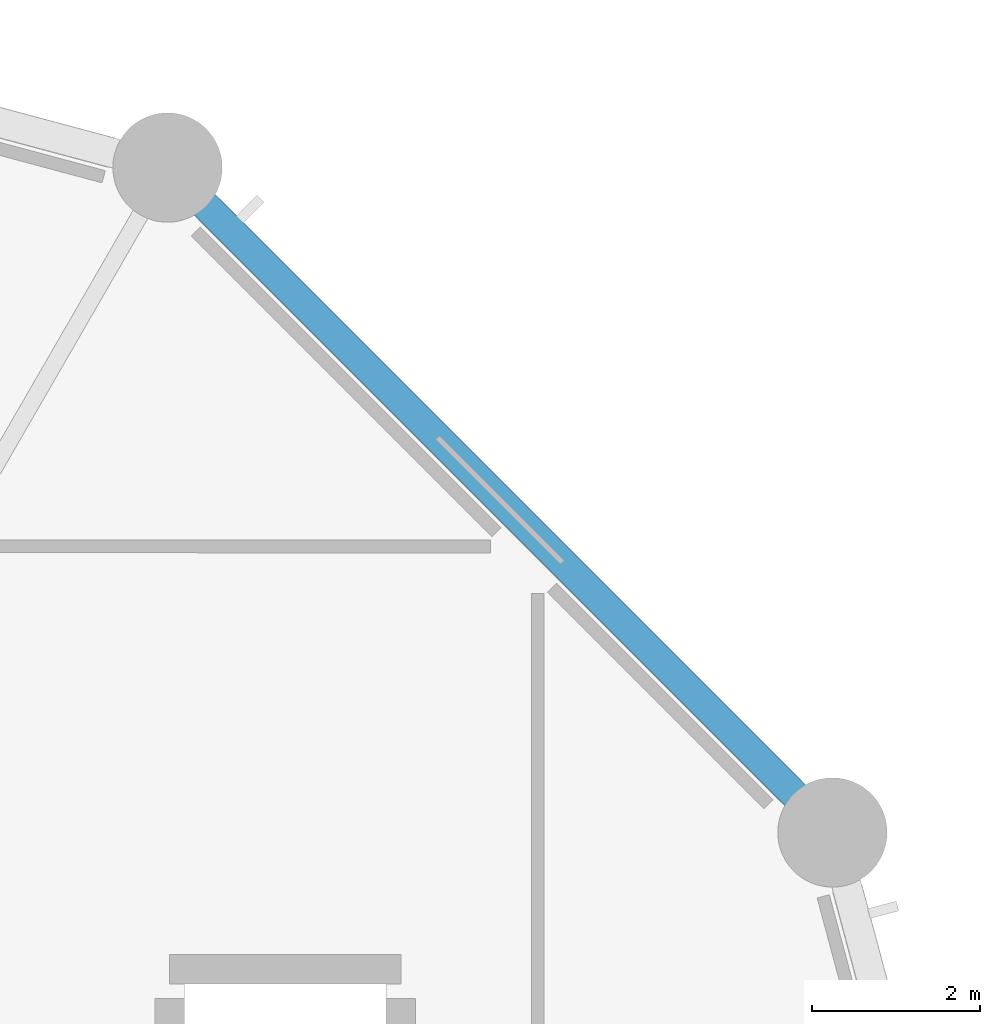
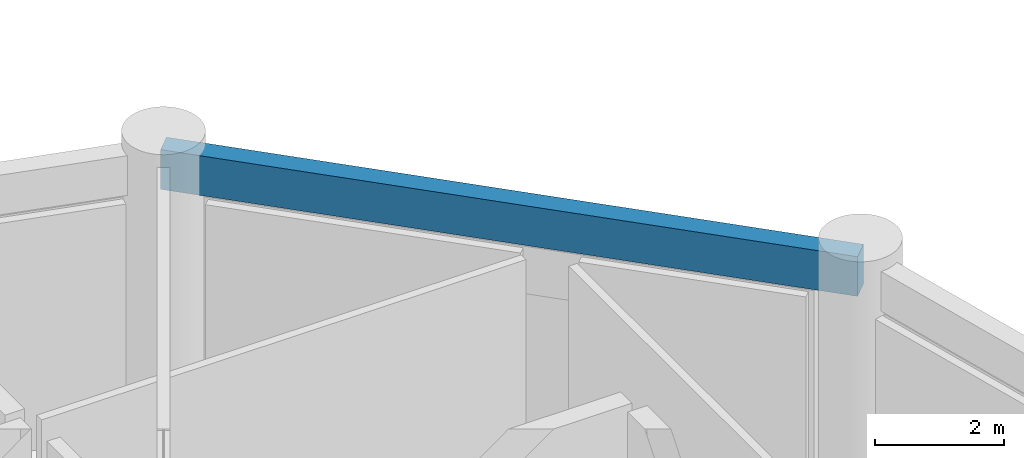
# One storey, part 76 of 155: 1 beam.
"""IFC4 building model written with IfcOpenShell, lengths in metres."""

from ifc_helpers import new_model, si_unit, direction, frame, origin, origin_2d, place, context, subcontext, project, spatial, rectangle, extrude, material, material_profile, profile_set, type_object, element, save


model = new_model("IFC4")

# Units and contexts
model_context = context("Model", 3, precision=1e-05, world=origin(), true_north=direction((0.0, 1.0)))
body_context = subcontext(model_context, "Body", "Model", "MODEL_VIEW")
ifc_project = project(units=[si_unit("LENGTHUNIT", "METRE"), si_unit("AREAUNIT", "SQUARE_METRE"), si_unit("VOLUMEUNIT", "CUBIC_METRE"), si_unit("PLANEANGLEUNIT", "RADIAN"), si_unit("MASSUNIT", "GRAM", prefix="KILO")], contexts=[model_context])

# Site, building, storey
site_placement = place(None, origin())
site = spatial("IfcSite", under=ifc_project, at=site_placement, CompositionType="ELEMENT")
building_placement = place(site_placement, origin())
building = spatial("IfcBuilding", under=site, at=building_placement, Name="Haizhuo Lancet Aquarium", CompositionType="ELEMENT")
storey_placement = place(building_placement, frame((0.0, 0.0, 10.800048828125)))
storey = spatial("IfcBuildingStorey", under=building, at=storey_placement, Name="L02", CompositionType="ELEMENT", Elevation=10.800048828125)

# Beam
ifc_material = material(Name="Concrete C40/50", Category="concrete")
ifc_material_profile = material_profile(ifc_material, rectangle(XDim=0.35009765625, YDim=0.75, at=origin_2d()), Name="RC-SP 350x750")
ifc_profile_set = profile_set([ifc_material_profile], Name="Concrete C40/50")
beam_type = type_object("IfcBeamType", Name="SPN-RC-350x750", PredefinedType="SPANDREL", material=ifc_profile_set)
beam_placement = place(storey_placement, frame((18.7060546875, 10.800048828125, 4.784912109375), z_axis=(-0.707106781187, 0.707106781187, 0.0), x_axis=(-0.707106781187, -0.707106781187, 0.0)))
element("IfcBeam", 1, at=beam_placement, inside=storey, type_object=beam_type, Name="L02 drum perimeter spandrel 2", PredefinedType="SPANDREL", context=body_context, shape_type="SweptSolid", body=[
    extrude(rectangle(XDim=0.35009765625, YDim=0.75, at=origin_2d()), origin(), (0.0, 0.0, 1.0), 11.1806640625),
])

save(model, "model.ifc")
